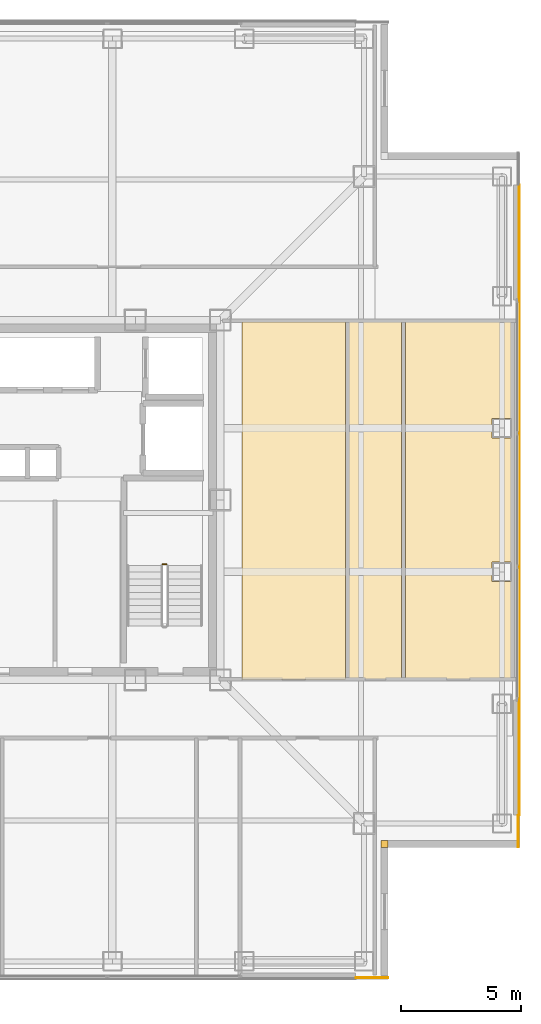
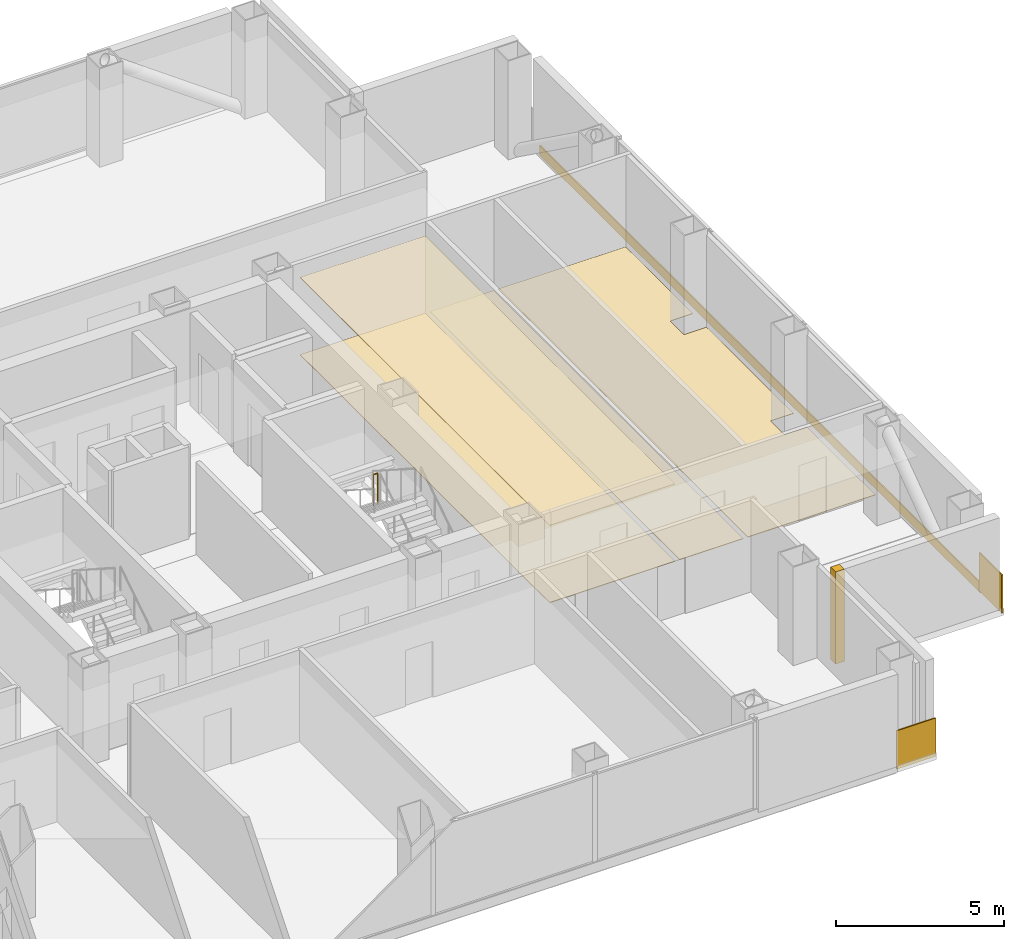
# One storey, part 16 of 17: 8 coverings, 1 railing.
"""IFC4 building model written with IfcOpenShell, lengths in metres."""

from ifc_helpers import new_model, si_unit, direction, frame, frame_2d, origin, origin_2d, place, context, subcontext, project, spatial, polyline, rectangle, circle, outline, extrude, material, layer, layer_set, type_object, element, save


model = new_model("IFC4")

# Units and contexts
model_context = context("Model", 3, precision=1e-05, world=origin(), true_north=direction((0.0, 1.0)))
body_context = subcontext(model_context, "Body", "Model", "MODEL_VIEW")
ifc_project = project(units=[si_unit("LENGTHUNIT", "METRE"), si_unit("AREAUNIT", "SQUARE_METRE"), si_unit("VOLUMEUNIT", "CUBIC_METRE"), si_unit("PLANEANGLEUNIT", "RADIAN"), si_unit("MASSUNIT", "GRAM", prefix="KILO")], contexts=[model_context])

# Site, building, storey
site_placement = place(None, origin())
site = spatial("IfcSite", under=ifc_project, at=site_placement, CompositionType="ELEMENT")
building_placement = place(site_placement, origin())
building = spatial("IfcBuilding", under=site, at=building_placement, Name="Trevonay Congress Spire", CompositionType="ELEMENT")
storey_placement = place(building_placement, frame((0.0, 0.0, 213.0)))
storey = spatial("IfcBuildingStorey", under=building, at=storey_placement, Name="L55", CompositionType="ELEMENT", Elevation=213.0)

# Coverings
ifc_material_1 = material(Name="Acoustic Mineral Fibre Board", Category="gypsum")
ifc_layer_1 = layer(ifc_material_1, 0.02490234375, Name="Acoustic Mineral Fibre Board")
ifc_layer_set_1 = layer_set([ifc_layer_1], Name="Acoustic Mineral Fibre Board")
covering_type_1 = type_object("IfcCoveringType", Name="COV-CEIL-ACOUSTIC", PredefinedType="CEILING", material=ifc_layer_set_1)
covering_1_placement = place(storey_placement, frame((0.0, 0.0, 2.81005859375)))
element("IfcCovering", 1, at=covering_1_placement, inside=storey, type_object=covering_type_1, Name="L55 Trader Bistro Kitchen acoustic suspended ceiling", PredefinedType="CEILING", context=body_context, shape_type="SweptSolid", body=[
    extrude(outline(polyline([(8.39990234375, -7.47998046875), (12.719970703125, -7.47998046875), (12.719970703125, 7.419921875), (8.39990234375, 7.419921875), (8.39990234375, -7.47998046875)])), origin(), (0.0, 0.0, 1.0), 0.02490234375),
])
ifc_material_2 = material(Name="Polished Granite Floor Tile", Category="masonry")
ifc_layer_2 = layer(ifc_material_2, 0.02001953125, Name="Polished Granite Floor Tile")
ifc_layer_set_2 = layer_set([ifc_layer_2], Name="Polished Granite Floor Tile")
covering_type_2 = type_object("IfcCoveringType", Name="COV-FLOOR-STONE", PredefinedType="FLOORING", material=ifc_layer_set_2)
covering_2_placement = place(storey_placement, origin())
element("IfcCovering", 2, at=covering_2_placement, inside=storey, type_object=covering_type_2, Name="L55 Trader Bistro Kitchen floor finish", PredefinedType="FLOORING", context=body_context, shape_type="SweptSolid", body=[
    extrude(outline(polyline([(8.39990234375, -7.47998046875), (12.719970703125, -7.47998046875), (12.719970703125, 7.419921875), (8.39990234375, 7.419921875), (8.39990234375, -7.47998046875)])), origin(), (0.0, 0.0, 1.0), 0.02001953125),
])
covering_3_placement = place(storey_placement, origin())
element("IfcCovering", 3, at=covering_3_placement, inside=storey, type_object=covering_type_2, Name="L55 Female Restroom WC floor finish", PredefinedType="FLOORING", context=body_context, shape_type="SweptSolid", body=[
    extrude(outline(polyline([(12.8798828125, -7.47998046875), (15.070068359375, -7.47998046875), (15.070068359375, 7.419921875), (12.8798828125, 7.419921875), (12.8798828125, -7.47998046875)])), origin(), (0.0, 0.0, 1.0), 0.02001953125),
])
covering_4_placement = place(storey_placement, origin())
element("IfcCovering", 4, at=covering_4_placement, inside=storey, type_object=covering_type_2, Name="L55 Floor Supplies and Copy Room floor finish", PredefinedType="FLOORING", context=body_context, shape_type="SweptSolid", body=[
    extrude(outline(polyline([(19.6201171875, -7.47998046875), (15.22998046875, -7.47998046875), (15.22998046875, 7.419921875), (19.6201171875, 7.419921875), (19.6201171875, 3.409912109375), (18.840087890625, 3.409912109375), (18.840087890625, 2.590087890625), (19.6201171875, 2.590087890625), (19.6201171875, -2.590087890625), (18.840087890625, -2.590087890625), (18.840087890625, -3.409912109375), (19.6201171875, -3.409912109375), (19.6201171875, -7.47998046875)])), origin(), (0.0, 0.0, 1.0), 0.02001953125),
])
ifc_material_3 = material(Name="Pale Anodised Aluminium EN AW-6063-T6", Category="aluminium")
ifc_layer_3 = layer(ifc_material_3, 0.0400390625, Name="Pale Anodised Aluminium EN AW-6063-T6")
ifc_layer_set_3 = layer_set([ifc_layer_3], Name="Pale Anodised Aluminium EN AW-6063-T6")
covering_type_3 = type_object("IfcCoveringType", Name="COV-SPANDREL-PALE-METAL", PredefinedType="CLADDING", material=ifc_layer_set_3)
covering_5_placement = place(storey_placement, frame((19.97998046875, -13.14990234375, -0.239990234375), z_axis=(0.0, 0.0, 1.0), x_axis=(0.0, 1.0, 0.0)))
element("IfcCovering", 5, at=covering_5_placement, inside=storey, type_object=covering_type_3, Name="L55 E pale-metal slab-edge spandrel cladding", PredefinedType="CLADDING", context=body_context, shape_type="SweptSolid", body=[
    extrude(rectangle(XDim=26.2998046875, YDim=0.0400390625, at=frame_2d((13.14990234375, 0.0))), origin(), (0.0, 0.0, 1.0), 0.360107421875),
])
covering_6_placement = place(storey_placement, origin())
element("IfcCovering", 6, at=covering_6_placement, inside=storey, type_object=covering_type_3, Name="L55 SE re-entrant notch corner closure trim", PredefinedType="CLADDING", context=body_context, shape_type="SweptSolid", body=[
    extrude(outline(polyline([(14.199951171875, -14.5), (14.5, -14.5), (14.5, -14.199951171875), (14.199951171875, -14.199951171875), (14.199951171875, -14.5)])), origin(), (0.0, 0.0, 1.0), 3.360107421875),
])
for number, where, z_axis, x_axis, name in (
    (7, (19.93994140625, -13.14990234375, -0.14990234375), (0.0, 0.0, 1.0), (0.0, -1.0, 0.0), "L55 SE corner pier spandrel cladding 1"),
    (8, (13.14990234375, -19.93994140625, -0.14990234375), (0.0, 0.0, 1.0), (1.0, 0.0, 0.0), "L55 SE corner pier spandrel cladding 2"),
):
    element("IfcCovering", number, at=place(storey_placement, frame(where, z_axis=z_axis, x_axis=x_axis)), inside=storey, type_object=covering_type_3, Name=name, PredefinedType="CLADDING", context=body_context, shape_type="SweptSolid", body=[
        extrude(rectangle(XDim=1.35009765625, YDim=0.0400390625, at=frame_2d((0.675048828125, 0.0))), origin(), (0.0, 0.0, 1.0), 1.39990234375),
    ])

# Railing
railing_type = type_object("IfcRailingType", Name="RAL-STAIR-GUARD-110", PredefinedType="GUARDRAIL", material=ifc_material_3)
railing_placement = place(storey_placement, frame((5.25, -2.679931640625, 1.800048828125)))
element("IfcRailing", 9, at=railing_placement, inside=storey, type_object=railing_type, Name="L55 ST-2 stair guard 2", PredefinedType="GUARDRAIL", context=body_context, shape_type="SweptSolid", body=[
    extrude(circle(Radius=0.02392578125, at=origin_2d()), frame((0.0, 0.0, 1.1259765625), z_axis=(-1.0, 0.0, 0.0), x_axis=(0.0, -1.0, 0.0)), (0.0, 0.0, 1.0), 0.14990234375),
    extrude(circle(Radius=0.02099609375, at=origin_2d()), origin(), (0.0, 0.0, 1.0), 1.101806640625),
    extrude(circle(Radius=0.02099609375, at=origin_2d()), frame((-0.14990234375, 0.0, 0.0)), (0.0, 0.0, 1.0), 1.101806640625),
])

save(model, "model.ifc")
